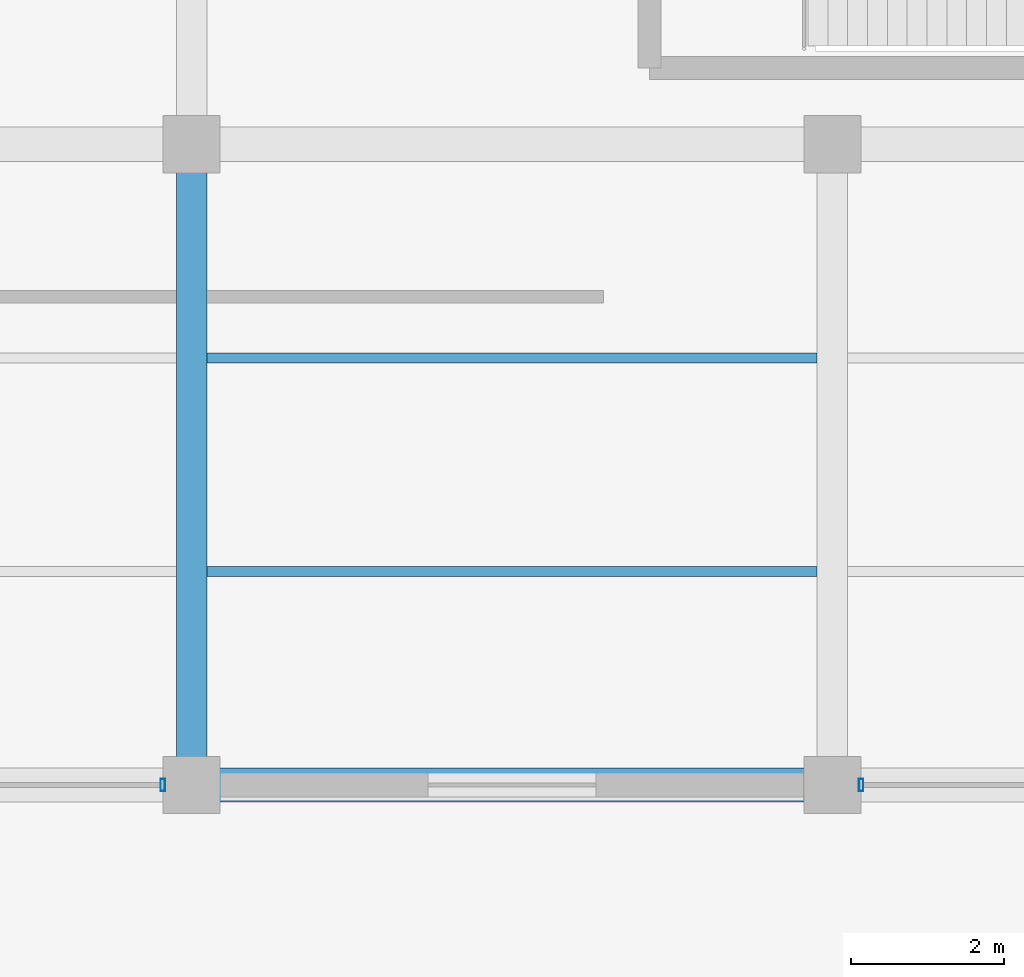
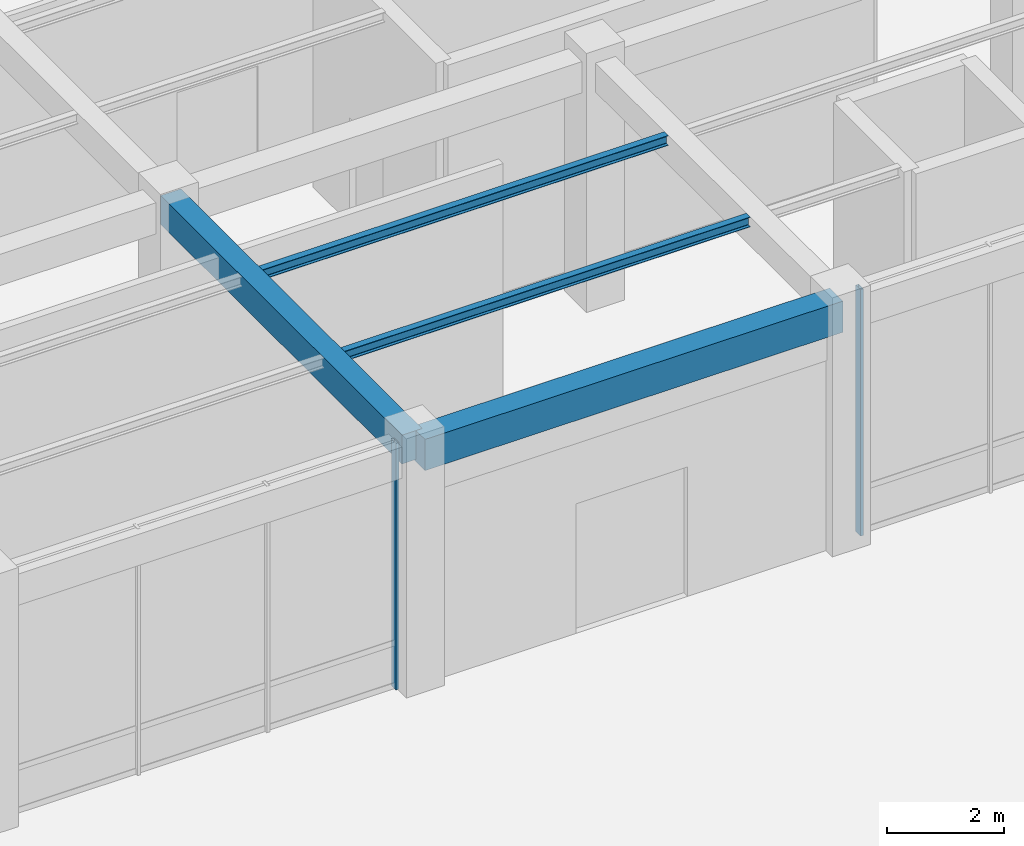
# One storey, part 19 of 157: 4 beams, 2 members, 2 elements without a shape of their own.
"""IFC4 building model written with IfcOpenShell, lengths in metres."""

from ifc_helpers import new_model, si_unit, direction, frame, origin, origin_2d, place, context, subcontext, project, spatial, rectangle, hollow_rectangle, i_section, extrude, material, material_profile, profile_set, type_object, element, aggregate, save


model = new_model("IFC4")

# Units and contexts
model_context = context("Model", 3, precision=1e-05, world=origin(), true_north=direction((0.0, 1.0)))
body_context = subcontext(model_context, "Body", "Model", "MODEL_VIEW")
ifc_project = project(units=[si_unit("LENGTHUNIT", "METRE"), si_unit("AREAUNIT", "SQUARE_METRE"), si_unit("VOLUMEUNIT", "CUBIC_METRE"), si_unit("PLANEANGLEUNIT", "RADIAN"), si_unit("MASSUNIT", "GRAM", prefix="KILO"), si_unit("THERMODYNAMICTEMPERATUREUNIT", "KELVIN"), si_unit("POWERUNIT", "WATT")], contexts=[model_context])

# Site, building, storey
site_placement = place(None, origin())
site = spatial("IfcSite", under=ifc_project, at=site_placement, CompositionType="ELEMENT")
building_placement = place(site_placement, origin())
building = spatial("IfcBuilding", under=site, at=building_placement, Name="Darbajah Civic Hall", CompositionType="ELEMENT")
storey_placement = place(building_placement, origin())
storey = spatial("IfcBuildingStorey", under=building, at=storey_placement, Name="L00", CompositionType="ELEMENT", Elevation=0.0)

# Curtain wall, member
ifc_material_1 = material(Name="Anodised Bronze Aluminium and Low-E Glazing", Category="aluminium")
curtain_wall_type = type_object("IfcCurtainWallType", Name="Unitised Curtain Wall CW-98 7600x5150", PredefinedType="USERDEFINED", material=ifc_material_1)
curtain_wall_1_placement = place(storey_placement, origin())
curtain_wall_1 = element("IfcCurtainWall", 1, at=curtain_wall_1_placement, inside=storey, type_object=curtain_wall_type, Name="L00 unitised curtain wall CW-V5-L00-S2-B1", ObjectType="UNITISED CURTAIN WALL", PredefinedType="USERDEFINED")
ifc_material_2 = material(Name="Anodised Bronze Aluminium", Category="aluminium")
ifc_material_profile_1 = material_profile(ifc_material_2, hollow_rectangle(XDim=0.06005859375, YDim=0.159912109375, WallThickness=0.00341796875, at=origin_2d()), Name="ALU MULLION 60x160")
ifc_profile_set_1 = profile_set([ifc_material_profile_1], Name="Anodised Bronze Aluminium")
member_type = type_object("IfcMemberType", Name="ALU MULLION 60x160", PredefinedType="MULLION", material=ifc_profile_set_1)
member_1_placement = place(storey_placement, frame((33.222900390625, 16.800048828125, 0.0), z_axis=(0.0, 0.0, 1.0), x_axis=(1.0, 0.0, 0.0)))
member_1 = element("IfcMember", 2, at=member_1_placement, type_object=member_type, Name="CW-V5-L00-S2-B1 mullion 4", PredefinedType="MULLION", context=body_context, shape_type="SweptSolid", body=[
    extrude(hollow_rectangle(XDim=0.06005859375, YDim=0.159912109375, WallThickness=0.00341796875, at=origin_2d()), origin(), (0.0, 0.0, 1.0), 5.139892578125),
])
aggregate(curtain_wall_1, [member_1])

curtain_wall_2_placement = place(storey_placement, origin())
curtain_wall_2 = element("IfcCurtainWall", 3, at=curtain_wall_2_placement, inside=storey, type_object=curtain_wall_type, Name="L00 unitised curtain wall CW-V5-L00-S2-B3", ObjectType="UNITISED CURTAIN WALL", PredefinedType="USERDEFINED")
member_2_placement = place(storey_placement, frame((42.376953125, 16.800048828125, 0.0), z_axis=(0.0, 0.0, 1.0), x_axis=(1.0, 0.0, 0.0)))
member_2 = element("IfcMember", 4, at=member_2_placement, type_object=member_type, Name="CW-V5-L00-S2-B3 mullion 1", PredefinedType="MULLION", context=body_context, shape_type="SweptSolid", body=[
    extrude(hollow_rectangle(XDim=0.06005859375, YDim=0.159912109375, WallThickness=0.00341796875, at=origin_2d()), origin(), (0.0, 0.0, 1.0), 5.139892578125),
])
aggregate(curtain_wall_2, [member_2])

# Beams
ifc_material_3 = material(Name="Concrete C45/55", Category="concrete")
ifc_material_profile_2 = material_profile(ifc_material_3, rectangle(XDim=0.39990234375, YDim=0.60009765625, at=origin_2d()), Name="RC BEAM 400x600")
ifc_profile_set_2 = profile_set([ifc_material_profile_2], Name="Concrete C45/55")
beam_type_1 = type_object("IfcBeamType", Name="RC BEAM 400x600", PredefinedType="BEAM", material=ifc_profile_set_2)
beam_1_placement = place(storey_placement, frame((33.60009765625, 16.8798828125, 4.840087890625), z_axis=(0.0, 1.0, 0.0), x_axis=(-1.0, 0.0, 0.0)))
element("IfcBeam", 5, at=beam_1_placement, inside=storey, type_object=beam_type_1, Name="L00 beam BM-4060", PredefinedType="BEAM", context=body_context, shape_type="SweptSolid", body=[
    extrude(rectangle(XDim=0.39990234375, YDim=0.60009765625, at=origin_2d()), origin(), (0.0, 0.0, 1.0), 8.240234375),
])
ifc_material_profile_3 = material_profile(ifc_material_3, rectangle(XDim=0.449951171875, YDim=0.64990234375, at=origin_2d()), Name="RC BEAM 450x650")
ifc_profile_set_3 = profile_set([ifc_material_profile_3], Name="Concrete C45/55")
beam_type_2 = type_object("IfcBeamType", Name="RC BEAM 450x650", PredefinedType="BEAM", material=ifc_profile_set_3)
beam_2_placement = place(storey_placement, frame((33.679931640625, 16.800048828125, 4.81494140625), z_axis=(1.0, 0.0, 0.0), x_axis=(0.0, 1.0, 0.0)))
element("IfcBeam", 6, at=beam_2_placement, inside=storey, type_object=beam_type_2, Name="L00 beam BM-4565", PredefinedType="BEAM", context=body_context, shape_type="SweptSolid", body=[
    extrude(rectangle(XDim=0.449951171875, YDim=0.64990234375, at=origin_2d()), origin(), (0.0, 0.0, 1.0), 8.239990234375),
])
ifc_material_4 = material(Name="Steel S355JR", Category="steel")
ifc_material_profile_4 = material_profile(ifc_material_4, i_section(OverallWidth=0.1337890625, OverallDepth=0.206787109375, WebThickness=0.00634765625, FlangeThickness=0.009521484375, FilletRadius=0.007568359375, at=origin_2d()), Name="UB 203x133x30")
ifc_profile_set_4 = profile_set([ifc_material_profile_4], Name="Steel S355JR")
beam_type_3 = type_object("IfcBeamType", Name="UB 203x133x30", PredefinedType="JOIST", material=ifc_profile_set_4)
for number, where, z_axis, x_axis, name in (
    (7, (33.800048828125, 19.60009765625, 5.03662109375), (1.0, 0.0, 0.0), (0.0, 1.0, 0.0), "L00 beam SJ-203"),
    (8, (33.800048828125, 22.39990234375, 5.03662109375), (1.0, 0.0, 0.0), (0.0, 1.0, 0.0), "L00 beam SJ-203"),
):
    element("IfcBeam", number, at=place(storey_placement, frame(where, z_axis=z_axis, x_axis=x_axis)), inside=storey, type_object=beam_type_3, Name=name, PredefinedType="JOIST", context=body_context, shape_type="SweptSolid", body=[
        extrude(i_section(OverallWidth=0.1337890625, OverallDepth=0.206787109375, WebThickness=0.00634765625, FlangeThickness=0.009521484375, FilletRadius=0.007568359375, at=origin_2d()), origin(), (0.0, 0.0, 1.0), 8.0),
    ])

save(model, "model.ifc")
